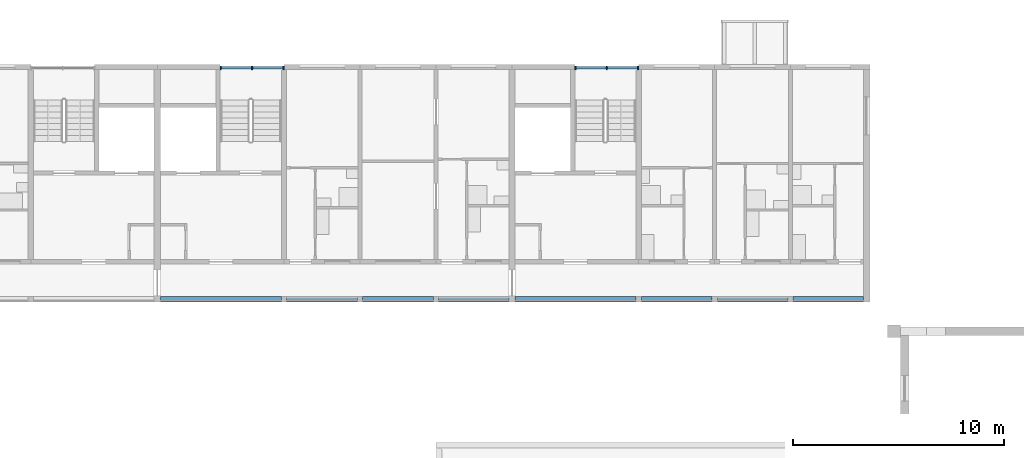
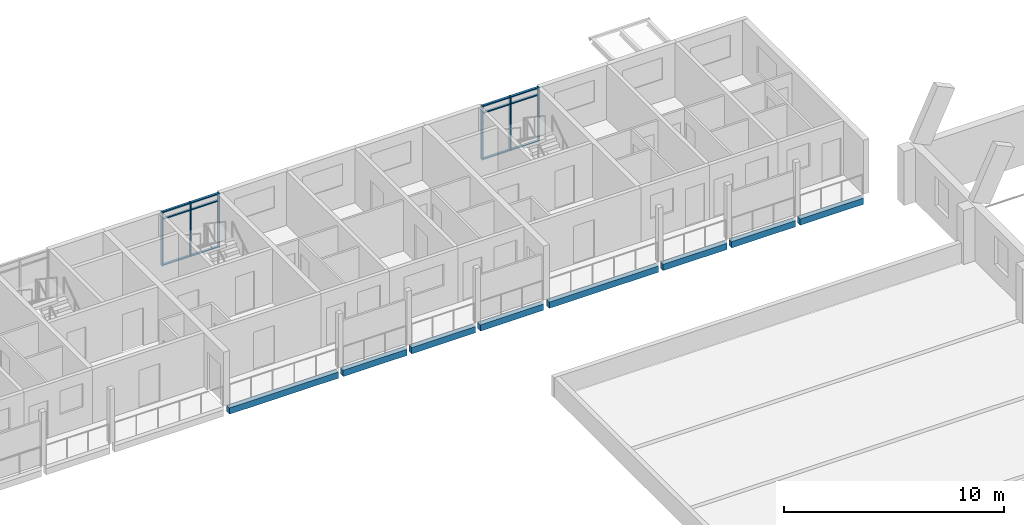
# One storey, part 18 of 115: 18 members, 8 beams, 2 elements without a shape of their own.
"""IFC4 building model written with IfcOpenShell, lengths in metres."""

from ifc_helpers import new_model, si_unit, direction, frame, origin, origin_2d, place, context, subcontext, project, spatial, rectangle, extrude, material, material_profile, profile_set, type_object, element, aggregate, save


model = new_model("IFC4")

# Units and contexts
model_context = context("Model", 3, precision=1e-05, world=origin(), true_north=direction((0.0, 1.0)))
body_context = subcontext(model_context, "Body", "Model", "MODEL_VIEW")
ifc_project = project(units=[si_unit("LENGTHUNIT", "METRE"), si_unit("AREAUNIT", "SQUARE_METRE"), si_unit("VOLUMEUNIT", "CUBIC_METRE"), si_unit("PLANEANGLEUNIT", "RADIAN"), si_unit("MASSUNIT", "GRAM", prefix="KILO")], contexts=[model_context])

# Site, building, storey
site_placement = place(None, origin())
site = spatial("IfcSite", under=ifc_project, at=site_placement, CompositionType="ELEMENT")
building_placement = place(site_placement, origin())
building = spatial("IfcBuilding", under=site, at=building_placement, Name="Ridgestep Commons", CompositionType="ELEMENT")
storey_placement = place(building_placement, frame((0.0, 0.0, 6.0)))
storey = spatial("IfcBuildingStorey", under=building, at=storey_placement, Name="L02", CompositionType="ELEMENT", Elevation=6.0)

# Beams
ifc_material_1 = material(Name="Precast concrete C40/50", Category="concrete")
ifc_material_profile_1 = material_profile(ifc_material_1, rectangle(XDim=0.25, YDim=0.35009765625, at=origin_2d()), Name="PC 250x350")
ifc_profile_set_1 = profile_set([ifc_material_profile_1], Name="Precast concrete C40/50")
beam_type = type_object("IfcBeamType", Name="Loggia edge beam 250 x 350", PredefinedType="SPANDREL", material=ifc_profile_set_1)
beam_1_placement = place(storey_placement, frame((79.35009765625, 66.125, -0.375), z_axis=(1.0, 0.0, 0.0), x_axis=(0.0, 1.0, 0.0)))
element("IfcBeam", 1, at=beam_1_placement, inside=storey, type_object=beam_type, Name="Loggia edge beam B5C L02", PredefinedType="SPANDREL", context=body_context, shape_type="SweptSolid", body=[
    extrude(rectangle(XDim=0.25, YDim=0.35009765625, at=origin_2d()), origin(), (0.0, 0.0, 1.0), 5.724853515625),
])
beam_2_placement = place(storey_placement, frame((85.324951171875, 66.125, -0.375), z_axis=(1.0, 0.0, 0.0), x_axis=(0.0, 1.0, 0.0)))
element("IfcBeam", 2, at=beam_2_placement, inside=storey, type_object=beam_type, Name="Loggia edge beam B5T3 L02", PredefinedType="SPANDREL", context=body_context, shape_type="SweptSolid", body=[
    extrude(rectangle(XDim=0.25, YDim=0.35009765625, at=origin_2d()), origin(), (0.0, 0.0, 1.0), 3.35009765625),
])
beam_3_placement = place(storey_placement, frame((88.925048828125, 66.125, -0.375), z_axis=(1.0, 0.0, 0.0), x_axis=(0.0, 1.0, 0.0)))
element("IfcBeam", 3, at=beam_3_placement, inside=storey, type_object=beam_type, Name="Loggia edge beam B5T2 L02", PredefinedType="SPANDREL", context=body_context, shape_type="SweptSolid", body=[
    extrude(rectangle(XDim=0.25, YDim=0.35009765625, at=origin_2d()), origin(), (0.0, 0.0, 1.0), 3.349853515625),
])
beam_4_placement = place(storey_placement, frame((92.52490234375, 66.125, -0.375), z_axis=(1.0, 0.0, 0.0), x_axis=(0.0, 1.0, 0.0)))
element("IfcBeam", 4, at=beam_4_placement, inside=storey, type_object=beam_type, Name="Loggia edge beam B5T1 L02", PredefinedType="SPANDREL", context=body_context, shape_type="SweptSolid", body=[
    extrude(rectangle(XDim=0.25, YDim=0.35009765625, at=origin_2d()), origin(), (0.0, 0.0, 1.0), 3.3251953125),
])
beam_5_placement = place(storey_placement, frame((96.14990234375, 66.125, -0.375), z_axis=(1.0, 0.0, 0.0), x_axis=(0.0, 1.0, 0.0)))
element("IfcBeam", 5, at=beam_5_placement, inside=storey, type_object=beam_type, Name="Loggia edge beam B6C L02", PredefinedType="SPANDREL", context=body_context, shape_type="SweptSolid", body=[
    extrude(rectangle(XDim=0.25, YDim=0.35009765625, at=origin_2d()), origin(), (0.0, 0.0, 1.0), 5.72509765625),
])
beam_6_placement = place(storey_placement, frame((102.125, 66.125, -0.375), z_axis=(1.0, 0.0, 0.0), x_axis=(0.0, 1.0, 0.0)))
element("IfcBeam", 6, at=beam_6_placement, inside=storey, type_object=beam_type, Name="Loggia edge beam B6T3 L02", PredefinedType="SPANDREL", context=body_context, shape_type="SweptSolid", body=[
    extrude(rectangle(XDim=0.25, YDim=0.35009765625, at=origin_2d()), origin(), (0.0, 0.0, 1.0), 3.35009765625),
])
beam_7_placement = place(storey_placement, frame((105.72509765625, 66.125, -0.375), z_axis=(1.0, 0.0, 0.0), x_axis=(0.0, 1.0, 0.0)))
element("IfcBeam", 7, at=beam_7_placement, inside=storey, type_object=beam_type, Name="Loggia edge beam B6T2 L02", PredefinedType="SPANDREL", context=body_context, shape_type="SweptSolid", body=[
    extrude(rectangle(XDim=0.25, YDim=0.35009765625, at=origin_2d()), origin(), (0.0, 0.0, 1.0), 3.349853515625),
])
beam_8_placement = place(storey_placement, frame((109.324951171875, 66.125, -0.375), z_axis=(1.0, 0.0, 0.0), x_axis=(0.0, 1.0, 0.0)))
element("IfcBeam", 8, at=beam_8_placement, inside=storey, type_object=beam_type, Name="Loggia edge beam B6T1 L02", PredefinedType="SPANDREL", context=body_context, shape_type="SweptSolid", body=[
    extrude(rectangle(XDim=0.25, YDim=0.35009765625, at=origin_2d()), origin(), (0.0, 0.0, 1.0), 3.324951171875),
])

# Curtain wall, members
ifc_material_2 = material(Name="Aluminium 6063-T6 and glass", Category="aluminium")
curtain_wall_type = type_object("IfcCurtainWallType", Name="Curtain wall stair strip", PredefinedType="NOTDEFINED", material=ifc_material_2)
curtain_wall_1_placement = place(storey_placement, origin())
curtain_wall_1 = element("IfcCurtainWall", 9, at=curtain_wall_1_placement, inside=storey, type_object=curtain_wall_type, Name="Curtain wall B5C level 02", PredefinedType="NOTDEFINED")
ifc_material_3 = material(Name="Aluminium 6063-T6", Category="aluminium")
ifc_material_profile_2 = material_profile(ifc_material_3, rectangle(XDim=0.159912109375, YDim=0.06005859375, at=origin_2d()), Name="Mullion 60 x 160")
ifc_profile_set_2 = profile_set([ifc_material_profile_2], Name="Aluminium 6063-T6")
member_type_1 = type_object("IfcMemberType", Name="Mullion 60 x 160", PredefinedType="MULLION", material=ifc_profile_set_2)
member_1_placement = place(storey_placement, frame((82.205078125, 77.080078125, 0.0), z_axis=(0.0, 0.0, 1.0), x_axis=(0.0, 1.0, 0.0)))
member_1 = element("IfcMember", 10, at=member_1_placement, type_object=member_type_1, Name="CW1 mullion 1", PredefinedType="MULLION", context=body_context, shape_type="SweptSolid", body=[
    extrude(rectangle(XDim=0.159912109375, YDim=0.06005859375, at=origin_2d()), origin(), (0.0, 0.0, 1.0), 3.0),
])
member_2_placement = place(storey_placement, frame((83.6875, 77.080078125, 0.0), z_axis=(0.0, 0.0, 1.0), x_axis=(0.0, 1.0, 0.0)))
member_2 = element("IfcMember", 11, at=member_2_placement, type_object=member_type_1, Name="CW1 mullion 2", PredefinedType="MULLION", context=body_context, shape_type="SweptSolid", body=[
    extrude(rectangle(XDim=0.159912109375, YDim=0.06005859375, at=origin_2d()), origin(), (0.0, 0.0, 1.0), 3.0),
])
member_3_placement = place(storey_placement, frame((85.169921875, 77.080078125, 0.0), z_axis=(0.0, 0.0, 1.0), x_axis=(0.0, 1.0, 0.0)))
member_3 = element("IfcMember", 12, at=member_3_placement, type_object=member_type_1, Name="CW1 mullion 3", PredefinedType="MULLION", context=body_context, shape_type="SweptSolid", body=[
    extrude(rectangle(XDim=0.159912109375, YDim=0.06005859375, at=origin_2d()), origin(), (0.0, 0.0, 1.0), 3.0),
])

curtain_wall_2_placement = place(storey_placement, origin())
curtain_wall_2 = element("IfcCurtainWall", 13, at=curtain_wall_2_placement, inside=storey, type_object=curtain_wall_type, Name="Curtain wall B6C level 02", PredefinedType="NOTDEFINED")
member_4_placement = place(storey_placement, frame((99.0048828125, 77.080078125, 0.0), z_axis=(0.0, 0.0, 1.0), x_axis=(0.0, 1.0, 0.0)))
member_4 = element("IfcMember", 14, at=member_4_placement, type_object=member_type_1, Name="CW1 mullion 1", PredefinedType="MULLION", context=body_context, shape_type="SweptSolid", body=[
    extrude(rectangle(XDim=0.159912109375, YDim=0.06005859375, at=origin_2d()), origin(), (0.0, 0.0, 1.0), 3.0),
])
member_5_placement = place(storey_placement, frame((100.487548828125, 77.080078125, 0.0), z_axis=(0.0, 0.0, 1.0), x_axis=(0.0, 1.0, 0.0)))
member_5 = element("IfcMember", 15, at=member_5_placement, type_object=member_type_1, Name="CW1 mullion 2", PredefinedType="MULLION", context=body_context, shape_type="SweptSolid", body=[
    extrude(rectangle(XDim=0.159912109375, YDim=0.06005859375, at=origin_2d()), origin(), (0.0, 0.0, 1.0), 3.0),
])
member_6_placement = place(storey_placement, frame((101.969970703125, 77.080078125, 0.0), z_axis=(0.0, 0.0, 1.0), x_axis=(0.0, 1.0, 0.0)))
member_6 = element("IfcMember", 16, at=member_6_placement, type_object=member_type_1, Name="CW1 mullion 3", PredefinedType="MULLION", context=body_context, shape_type="SweptSolid", body=[
    extrude(rectangle(XDim=0.159912109375, YDim=0.06005859375, at=origin_2d()), origin(), (0.0, 0.0, 1.0), 3.0),
])

# Member
ifc_material_4 = material(Name="Aluminium 6063-T6", Category="aluminium")
ifc_material_profile_3 = material_profile(ifc_material_4, rectangle(XDim=0.1201171875, YDim=0.06005859375, at=origin_2d()), Name="Transom 60 x 120")
ifc_profile_set_3 = profile_set([ifc_material_profile_3], Name="Aluminium 6063-T6")
member_type_2 = type_object("IfcMemberType", Name="Transom 60 x 120", PredefinedType="USERDEFINED", material=ifc_profile_set_3)
member_7_placement = place(storey_placement, frame((82.235107421875, 77.080078125, 0.030029296875), z_axis=(1.0, 0.0, 0.0), x_axis=(0.0, 1.0, 0.0)))
member_7 = element("IfcMember", 17, at=member_7_placement, type_object=member_type_2, Name="CW1 transom 1.1", ObjectType="TRANSOM", PredefinedType="USERDEFINED", context=body_context, shape_type="SweptSolid", body=[
    extrude(rectangle(XDim=0.1201171875, YDim=0.06005859375, at=origin_2d()), origin(), (0.0, 0.0, 1.0), 1.42236328125),
])

member_8_placement = place(storey_placement, frame((82.235107421875, 77.080078125, 2.590087890625), z_axis=(1.0, 0.0, 0.0), x_axis=(0.0, 1.0, 0.0)))
member_8 = element("IfcMember", 18, at=member_8_placement, type_object=member_type_2, Name="CW1 transom 1.2", ObjectType="TRANSOM", PredefinedType="USERDEFINED", context=body_context, shape_type="SweptSolid", body=[
    extrude(rectangle(XDim=0.1201171875, YDim=0.06005859375, at=origin_2d()), origin(), (0.0, 0.0, 1.0), 1.42236328125),
])

member_9_placement = place(storey_placement, frame((82.235107421875, 77.080078125, 2.969970703125), z_axis=(1.0, 0.0, 0.0), x_axis=(0.0, 1.0, 0.0)))
member_9 = element("IfcMember", 19, at=member_9_placement, type_object=member_type_2, Name="CW1 transom 1.3", ObjectType="TRANSOM", PredefinedType="USERDEFINED", context=body_context, shape_type="SweptSolid", body=[
    extrude(rectangle(XDim=0.1201171875, YDim=0.06005859375, at=origin_2d()), origin(), (0.0, 0.0, 1.0), 1.42236328125),
])

member_10_placement = place(storey_placement, frame((83.717529296875, 77.080078125, 0.030029296875), z_axis=(1.0, 0.0, 0.0), x_axis=(0.0, 1.0, 0.0)))
member_10 = element("IfcMember", 20, at=member_10_placement, type_object=member_type_2, Name="CW1 transom 2.1", ObjectType="TRANSOM", PredefinedType="USERDEFINED", context=body_context, shape_type="SweptSolid", body=[
    extrude(rectangle(XDim=0.1201171875, YDim=0.06005859375, at=origin_2d()), origin(), (0.0, 0.0, 1.0), 1.42236328125),
])

member_11_placement = place(storey_placement, frame((83.717529296875, 77.080078125, 2.590087890625), z_axis=(1.0, 0.0, 0.0), x_axis=(0.0, 1.0, 0.0)))
member_11 = element("IfcMember", 21, at=member_11_placement, type_object=member_type_2, Name="CW1 transom 2.2", ObjectType="TRANSOM", PredefinedType="USERDEFINED", context=body_context, shape_type="SweptSolid", body=[
    extrude(rectangle(XDim=0.1201171875, YDim=0.06005859375, at=origin_2d()), origin(), (0.0, 0.0, 1.0), 1.42236328125),
])

member_12_placement = place(storey_placement, frame((83.717529296875, 77.080078125, 2.969970703125), z_axis=(1.0, 0.0, 0.0), x_axis=(0.0, 1.0, 0.0)))
member_12 = element("IfcMember", 22, at=member_12_placement, type_object=member_type_2, Name="CW1 transom 2.3", ObjectType="TRANSOM", PredefinedType="USERDEFINED", context=body_context, shape_type="SweptSolid", body=[
    extrude(rectangle(XDim=0.1201171875, YDim=0.06005859375, at=origin_2d()), origin(), (0.0, 0.0, 1.0), 1.42236328125),
])

aggregate(curtain_wall_1, [member_1, member_2, member_3, member_7, member_8, member_9, member_10, member_11, member_12])

member_13_placement = place(storey_placement, frame((99.034912109375, 77.080078125, 0.030029296875), z_axis=(1.0, 0.0, 0.0), x_axis=(0.0, 1.0, 0.0)))
member_13 = element("IfcMember", 23, at=member_13_placement, type_object=member_type_2, Name="CW1 transom 1.1", ObjectType="TRANSOM", PredefinedType="USERDEFINED", context=body_context, shape_type="SweptSolid", body=[
    extrude(rectangle(XDim=0.1201171875, YDim=0.06005859375, at=origin_2d()), origin(), (0.0, 0.0, 1.0), 1.422607421875),
])

member_14_placement = place(storey_placement, frame((99.034912109375, 77.080078125, 2.590087890625), z_axis=(1.0, 0.0, 0.0), x_axis=(0.0, 1.0, 0.0)))
member_14 = element("IfcMember", 24, at=member_14_placement, type_object=member_type_2, Name="CW1 transom 1.2", ObjectType="TRANSOM", PredefinedType="USERDEFINED", context=body_context, shape_type="SweptSolid", body=[
    extrude(rectangle(XDim=0.1201171875, YDim=0.06005859375, at=origin_2d()), origin(), (0.0, 0.0, 1.0), 1.422607421875),
])

member_15_placement = place(storey_placement, frame((99.034912109375, 77.080078125, 2.969970703125), z_axis=(1.0, 0.0, 0.0), x_axis=(0.0, 1.0, 0.0)))
member_15 = element("IfcMember", 25, at=member_15_placement, type_object=member_type_2, Name="CW1 transom 1.3", ObjectType="TRANSOM", PredefinedType="USERDEFINED", context=body_context, shape_type="SweptSolid", body=[
    extrude(rectangle(XDim=0.1201171875, YDim=0.06005859375, at=origin_2d()), origin(), (0.0, 0.0, 1.0), 1.422607421875),
])

member_16_placement = place(storey_placement, frame((100.517578125, 77.080078125, 0.030029296875), z_axis=(1.0, 0.0, 0.0), x_axis=(0.0, 1.0, 0.0)))
member_16 = element("IfcMember", 26, at=member_16_placement, type_object=member_type_2, Name="CW1 transom 2.1", ObjectType="TRANSOM", PredefinedType="USERDEFINED", context=body_context, shape_type="SweptSolid", body=[
    extrude(rectangle(XDim=0.1201171875, YDim=0.06005859375, at=origin_2d()), origin(), (0.0, 0.0, 1.0), 1.42236328125),
])

member_17_placement = place(storey_placement, frame((100.517578125, 77.080078125, 2.590087890625), z_axis=(1.0, 0.0, 0.0), x_axis=(0.0, 1.0, 0.0)))
member_17 = element("IfcMember", 27, at=member_17_placement, type_object=member_type_2, Name="CW1 transom 2.2", ObjectType="TRANSOM", PredefinedType="USERDEFINED", context=body_context, shape_type="SweptSolid", body=[
    extrude(rectangle(XDim=0.1201171875, YDim=0.06005859375, at=origin_2d()), origin(), (0.0, 0.0, 1.0), 1.42236328125),
])

member_18_placement = place(storey_placement, frame((100.517578125, 77.080078125, 2.969970703125), z_axis=(1.0, 0.0, 0.0), x_axis=(0.0, 1.0, 0.0)))
member_18 = element("IfcMember", 28, at=member_18_placement, type_object=member_type_2, Name="CW1 transom 2.3", ObjectType="TRANSOM", PredefinedType="USERDEFINED", context=body_context, shape_type="SweptSolid", body=[
    extrude(rectangle(XDim=0.1201171875, YDim=0.06005859375, at=origin_2d()), origin(), (0.0, 0.0, 1.0), 1.42236328125),
])

aggregate(curtain_wall_2, [member_4, member_5, member_6, member_13, member_14, member_15, member_16, member_17, member_18])

save(model, "model.ifc")
